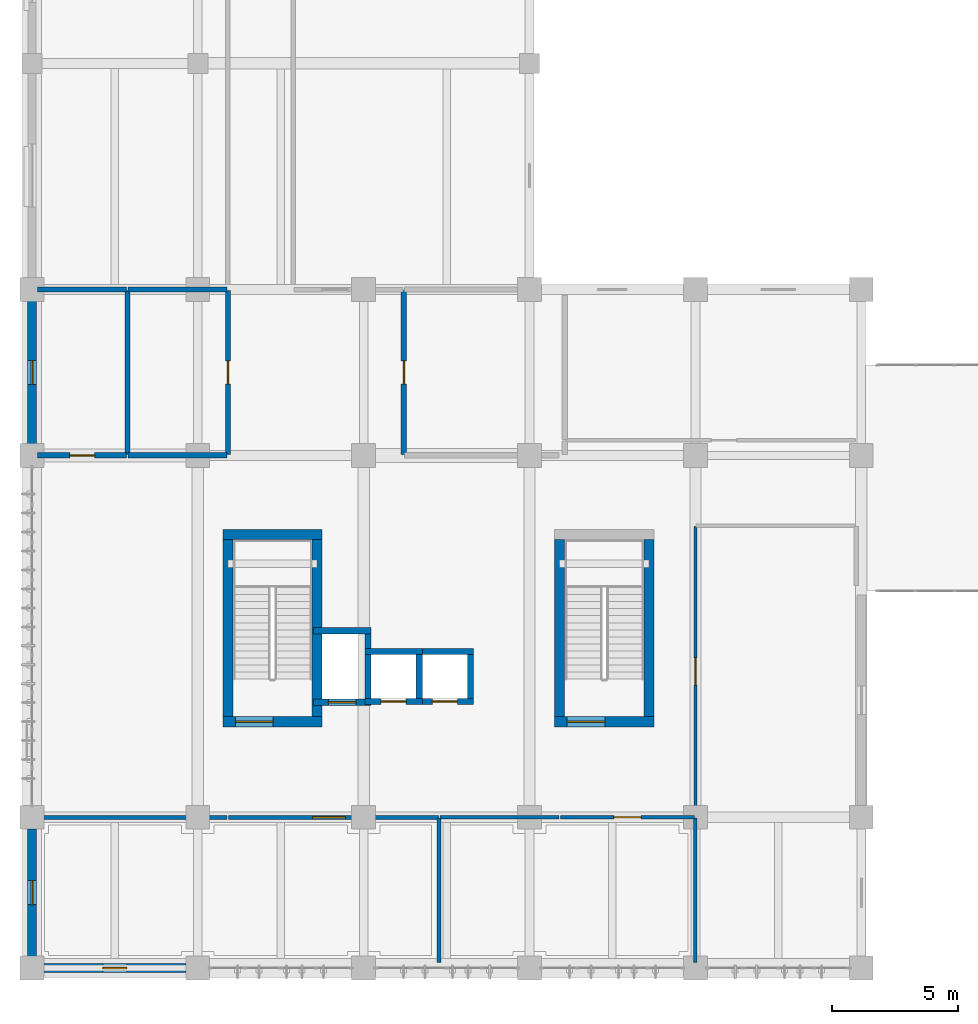
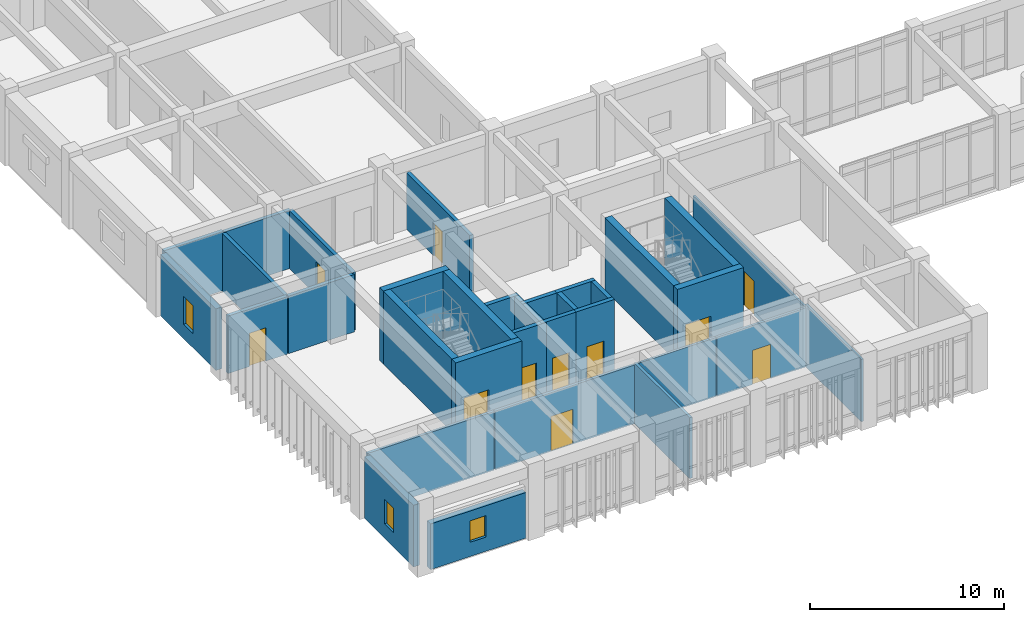
# One storey, part 47 of 65: 33 walls, 11 doors, 3 windows, 14 openings.
"""IFC4 building model written with IfcOpenShell, lengths in metres."""

from ifc_helpers import new_model, si_unit, direction, frame, frame_2d, origin, place, context, subcontext, project, spatial, rectangle, extrude, material, layer, layer_set, type_object, element, fill, save


model = new_model("IFC4")

# Units and contexts
model_context = context("Model", 3, precision=1e-05, world=origin(), true_north=direction((0.0, 1.0)))
body_context = subcontext(model_context, "Body", "Model", "MODEL_VIEW")
ifc_project = project(units=[si_unit("LENGTHUNIT", "METRE"), si_unit("AREAUNIT", "SQUARE_METRE"), si_unit("VOLUMEUNIT", "CUBIC_METRE"), si_unit("PLANEANGLEUNIT", "RADIAN"), si_unit("MASSUNIT", "GRAM", prefix="KILO")], contexts=[model_context])

# Site, building, storey
site_placement = place(None, origin())
site = spatial("IfcSite", under=ifc_project, at=site_placement, CompositionType="ELEMENT")
building_placement = place(site_placement, origin())
building = spatial("IfcBuilding", under=site, at=building_placement, Name="Miralva Faculty of Natural Sciences", CompositionType="ELEMENT")
storey_placement = place(building_placement, frame((0.0, 0.0, 10.199951171875)))
storey = spatial("IfcBuildingStorey", under=building, at=storey_placement, Name="L02", CompositionType="ELEMENT", Elevation=10.199951171875)

# Wall, opening, door
ifc_material_1 = material(Name="Concrete C50/60", Category="concrete")
ifc_layer_1 = layer(ifc_material_1, 0.39990234375, Name="WL-CW01")
ifc_layer_set_1 = layer_set([ifc_layer_1], Name="Concrete C50/60")
wall_type_1 = type_object("IfcWallType", Name="WL-CW01", PredefinedType="SHEAR", material=ifc_layer_set_1)
wall_1_placement = place(storey_placement, frame((10.60009765625, 12.800048828125, 0.0), z_axis=(0.0, 0.0, 1.0), x_axis=(1.0, 0.0, 0.0)))
wall_1 = element("IfcWall", 1, at=wall_1_placement, inside=storey, type_object=wall_type_1, Name="Core C1 shear wall south L02", PredefinedType="SHEAR", context=body_context, shape_type="SweptSolid", body=[
    extrude(rectangle(XDim=3.949951171875, YDim=0.39990234375, at=frame_2d((1.97509765625, 0.0))), origin(), (0.0, 0.0, 1.0), 4.580078125),
])
opening_1_placement = place(wall_1_placement, frame((0.5, 0.0, 0.0)))
opening_1 = element("IfcOpeningElement", 2, at=opening_1_placement, cuts=wall_1, Name="Opening D-11", PredefinedType="OPENING", context=body_context, shape_type="SweptSolid", body=[
    extrude(rectangle(XDim=1.5, YDim=2.199951171875, at=frame_2d((0.75, 1.10009765625))), frame((0.0, 0.2099609375, 0.0), z_axis=(0.0, -1.0, 0.0), x_axis=(1.0, 0.0, 0.0)), (0.0, 0.0, 1.0), 0.419921875),
])
ifc_material_2 = material(Name="Galvanised steel", Category="steel")
door_type_1 = type_object("IfcDoorType", Name="DR-DI11", OperationType="DOUBLE_DOOR_SINGLE_SWING", PredefinedType="DOOR", material=ifc_material_2)
door_1_placement = place(opening_1_placement, frame((1.5, 0.0, 0.0), z_axis=(0.0, 0.0, 1.0), x_axis=(-1.0, 0.0, 0.0)))
door_1 = element("IfcDoor", 3, at=door_1_placement, inside=storey, type_object=door_type_1, Name="Protected exit stair door Core C1 L02", OperationType="DOUBLE_DOOR_SINGLE_SWING", OverallHeight=2.199951171875, OverallWidth=1.5, PredefinedType="DOOR", context=body_context, shape_type="SweptSolid", body=[
    extrude(rectangle(XDim=1.5, YDim=2.199951171875, at=frame_2d((0.75, 1.10009765625))), frame((0.0, 0.02490234375, 0.0), z_axis=(0.0, -1.0, 0.0), x_axis=(1.0, 0.0, 0.0)), (0.0, 0.0, 1.0), 0.050048828125),
])
fill(opening_1, door_1)

# Walls
wall_2_placement = place(storey_placement, frame((10.60009765625, 20.25, 0.0), z_axis=(0.0, 0.0, 1.0), x_axis=(1.0, 0.0, 0.0)))
element("IfcWall", 4, at=wall_2_placement, inside=storey, type_object=wall_type_1, Name="Core C1 shear wall north L02", PredefinedType="SHEAR", context=body_context, shape_type="SweptSolid", body=[
    extrude(rectangle(XDim=3.949951171875, YDim=0.39990234375, at=frame_2d((1.97509765625, 0.0))), origin(), (0.0, 0.0, 1.0), 4.580078125),
])
for number, where, z_axis, x_axis, name in (
    (5, (10.800048828125, 13.0, 0.0), (0.0, 0.0, 1.0), (0.0, 1.0, 0.0), "Core C1 shear wall west L02"),
    (6, (14.35009765625, 13.0, 0.0), (0.0, 0.0, 1.0), (0.0, 1.0, 0.0), "Core C1 shear wall east L02"),
):
    element("IfcWall", number, at=place(storey_placement, frame(where, z_axis=z_axis, x_axis=x_axis)), inside=storey, type_object=wall_type_1, Name=name, PredefinedType="SHEAR", context=body_context, shape_type="SweptSolid", body=[
        extrude(rectangle(XDim=7.050048828125, YDim=0.39990234375, at=frame_2d((3.52490234375, 0.0))), origin(), (0.0, 0.0, 1.0), 4.580078125),
    ])

# Wall, opening, door
wall_3_placement = place(storey_placement, frame((23.800048828125, 12.800048828125, 0.0), z_axis=(0.0, 0.0, 1.0), x_axis=(1.0, 0.0, 0.0)))
wall_3 = element("IfcWall", 7, at=wall_3_placement, inside=storey, type_object=wall_type_1, Name="Core C1B shear wall south L02", PredefinedType="SHEAR", context=body_context, shape_type="SweptSolid", body=[
    extrude(rectangle(XDim=3.949951171875, YDim=0.39990234375, at=frame_2d((1.97509765625, 0.0))), origin(), (0.0, 0.0, 1.0), 4.580078125),
])
opening_2_placement = place(wall_3_placement, frame((0.5, 0.0, 0.0)))
opening_2 = element("IfcOpeningElement", 8, at=opening_2_placement, cuts=wall_3, Name="Opening D-11", PredefinedType="OPENING", context=body_context, shape_type="SweptSolid", body=[
    extrude(rectangle(XDim=1.5, YDim=2.199951171875, at=frame_2d((0.75, 1.10009765625))), frame((0.0, 0.2099609375, 0.0), z_axis=(0.0, -1.0, 0.0), x_axis=(1.0, 0.0, 0.0)), (0.0, 0.0, 1.0), 0.419921875),
])
door_2_placement = place(opening_2_placement, frame((1.5, 0.0, 0.0), z_axis=(0.0, 0.0, 1.0), x_axis=(-1.0, 0.0, 0.0)))
door_2 = element("IfcDoor", 9, at=door_2_placement, inside=storey, type_object=door_type_1, Name="Protected exit stair door Core C1B L02", OperationType="DOUBLE_DOOR_SINGLE_SWING", OverallHeight=2.199951171875, OverallWidth=1.5, PredefinedType="DOOR", context=body_context, shape_type="SweptSolid", body=[
    extrude(rectangle(XDim=1.5, YDim=2.199951171875, at=frame_2d((0.75, 1.10009765625))), frame((0.0, 0.02490234375, 0.0), z_axis=(0.0, -1.0, 0.0), x_axis=(1.0, 0.0, 0.0)), (0.0, 0.0, 1.0), 0.050048828125),
])
fill(opening_2, door_2)

# Walls
for number, where, z_axis, x_axis, name in (
    (10, (24.0, 13.0, 0.0), (0.0, 0.0, 1.0), (0.0, 1.0, 0.0), "Core C1B shear wall west L02"),
    (11, (27.550048828125, 13.0, 0.0), (0.0, 0.0, 1.0), (0.0, 1.0, 0.0), "Core C1B shear wall east L02"),
):
    element("IfcWall", number, at=place(storey_placement, frame(where, z_axis=z_axis, x_axis=x_axis)), inside=storey, type_object=wall_type_1, Name=name, PredefinedType="SHEAR", context=body_context, shape_type="SweptSolid", body=[
        extrude(rectangle(XDim=7.050048828125, YDim=0.39990234375, at=frame_2d((3.52490234375, 0.0))), origin(), (0.0, 0.0, 1.0), 4.580078125),
    ])

# Wall, opening, door
ifc_material_3 = material(Name="Concrete C40/50", Category="concrete")
ifc_layer_2 = layer(ifc_material_3, 0.25, Name="WL-CW04")
ifc_layer_set_2 = layer_set([ifc_layer_2], Name="Concrete C40/50")
wall_type_2 = type_object("IfcWallType", Name="WL-CW04", PredefinedType="SHEAR", material=ifc_layer_set_2)
wall_4_placement = place(storey_placement, frame((14.205078125, 13.580078125, 0.0), z_axis=(0.0, 0.0, 1.0), x_axis=(1.0, 0.0, 0.0)))
wall_4 = element("IfcWall", 12, at=wall_4_placement, inside=storey, type_object=wall_type_2, Name="Lift L-01 hoistway front wall L02", PredefinedType="SHEAR", context=body_context, shape_type="SweptSolid", body=[
    extrude(rectangle(XDim=2.2900390625, YDim=0.25, at=frame_2d((1.14501953125, 0.0))), origin(), (0.0, 0.0, 1.0), 4.56005859375),
])
opening_3_placement = place(wall_4_placement, frame((0.594970703125, 0.0, 0.0)))
opening_3 = element("IfcOpeningElement", 13, at=opening_3_placement, cuts=wall_4, Name="Opening LD-01", PredefinedType="OPENING", context=body_context, shape_type="SweptSolid", body=[
    extrude(rectangle(XDim=1.10009765625, YDim=2.199951171875, at=frame_2d((0.550048828125, 1.10009765625))), frame((0.0, 0.135009765625, 0.0), z_axis=(0.0, -1.0, 0.0), x_axis=(1.0, 0.0, 0.0)), (0.0, 0.0, 1.0), 0.27001953125),
])
door_type_2 = type_object("IfcDoorType", Name="DR-LD01", OperationType="SLIDING_TO_LEFT", PredefinedType="DOOR", material=ifc_material_2)
door_3_placement = place(opening_3_placement, frame((1.10009765625, 0.0, 0.0), z_axis=(0.0, 0.0, 1.0), x_axis=(-1.0, 0.0, 0.0)))
door_3 = element("IfcDoor", 14, at=door_3_placement, inside=storey, type_object=door_type_2, Name="Lift L-01 sliding landing door L02", OperationType="SLIDING_TO_LEFT", OverallHeight=2.199951171875, OverallWidth=1.10009765625, PredefinedType="DOOR", context=body_context, shape_type="SweptSolid", body=[
    extrude(rectangle(XDim=1.10009765625, YDim=2.199951171875, at=frame_2d((0.550048828125, 1.10009765625))), frame((0.0, 0.02490234375, 0.0), z_axis=(0.0, -1.0, 0.0), x_axis=(1.0, 0.0, 0.0)), (0.0, 0.0, 1.0), 0.050048828125),
])
fill(opening_3, door_3)

# Walls
wall_5_placement = place(storey_placement, frame((14.205078125, 16.419921875, 0.0), z_axis=(0.0, 0.0, 1.0), x_axis=(1.0, 0.0, 0.0)))
element("IfcWall", 15, at=wall_5_placement, inside=storey, type_object=wall_type_2, Name="Lift L-01 hoistway rear wall L02", PredefinedType="SHEAR", context=body_context, shape_type="SweptSolid", body=[
    extrude(rectangle(XDim=2.2900390625, YDim=0.25, at=frame_2d((1.14501953125, 0.0))), origin(), (0.0, 0.0, 1.0), 4.56005859375),
])
wall_6_placement = place(storey_placement, frame((16.3701171875, 13.705078125, 0.0), z_axis=(0.0, 0.0, 1.0), x_axis=(0.0, 1.0, 0.0)))
element("IfcWall", 16, at=wall_6_placement, inside=storey, type_object=wall_type_2, Name="Lift L-01 hoistway E wall L02", PredefinedType="SHEAR", context=body_context, shape_type="SweptSolid", body=[
    extrude(rectangle(XDim=2.58984375, YDim=0.25, at=frame_2d((1.294921875, 0.0))), origin(), (0.0, 0.0, 1.0), 4.56005859375),
])

# Wall, opening, door
wall_7_placement = place(storey_placement, frame((16.2451171875, 13.60498046875, 0.0), z_axis=(0.0, 0.0, 1.0), x_axis=(1.0, 0.0, 0.0)))
wall_7 = element("IfcWall", 17, at=wall_7_placement, inside=storey, type_object=wall_type_2, Name="Lift L-02 hoistway front wall L02", PredefinedType="SHEAR", context=body_context, shape_type="SweptSolid", body=[
    extrude(rectangle(XDim=2.289794921875, YDim=0.25, at=frame_2d((1.14501953125, 0.0))), origin(), (0.0, 0.0, 1.0), 4.56005859375),
])
opening_4_placement = place(wall_7_placement, frame((0.64501953125, 0.0, 0.0)))
opening_4 = element("IfcOpeningElement", 18, at=opening_4_placement, cuts=wall_7, Name="Opening LD-02", PredefinedType="OPENING", context=body_context, shape_type="SweptSolid", body=[
    extrude(rectangle(XDim=1.0, YDim=2.14990234375, at=frame_2d((0.5, 1.074951171875))), frame((0.0, 0.135009765625, 0.0), z_axis=(0.0, -1.0, 0.0), x_axis=(1.0, 0.0, 0.0)), (0.0, 0.0, 1.0), 0.27001953125),
])
door_type_3 = type_object("IfcDoorType", Name="DR-LD02", OperationType="SLIDING_TO_LEFT", PredefinedType="DOOR", material=ifc_material_2)
door_4_placement = place(opening_4_placement, frame((1.0, 0.0, 0.0), z_axis=(0.0, 0.0, 1.0), x_axis=(-1.0, 0.0, 0.0)))
door_4 = element("IfcDoor", 19, at=door_4_placement, inside=storey, type_object=door_type_3, Name="Lift L-02 sliding landing door L02", OperationType="SLIDING_TO_LEFT", OverallHeight=2.14990234375, OverallWidth=1.0, PredefinedType="DOOR", context=body_context, shape_type="SweptSolid", body=[
    extrude(rectangle(XDim=1.0, YDim=2.14990234375, at=frame_2d((0.5, 1.074951171875))), frame((0.0, 0.02490234375, 0.0), z_axis=(0.0, -1.0, 0.0), x_axis=(1.0, 0.0, 0.0)), (0.0, 0.0, 1.0), 0.050048828125),
])
fill(opening_4, door_4)

# Walls
wall_8_placement = place(storey_placement, frame((16.2451171875, 15.594970703125, 0.0), z_axis=(0.0, 0.0, 1.0), x_axis=(1.0, 0.0, 0.0)))
element("IfcWall", 20, at=wall_8_placement, inside=storey, type_object=wall_type_2, Name="Lift L-02 hoistway rear wall L02", PredefinedType="SHEAR", context=body_context, shape_type="SweptSolid", body=[
    extrude(rectangle(XDim=2.289794921875, YDim=0.25, at=frame_2d((1.14501953125, 0.0))), origin(), (0.0, 0.0, 1.0), 4.56005859375),
])
wall_9_placement = place(storey_placement, frame((18.409912109375, 13.72998046875, 0.0), z_axis=(0.0, 0.0, 1.0), x_axis=(0.0, 1.0, 0.0)))
element("IfcWall", 21, at=wall_9_placement, inside=storey, type_object=wall_type_2, Name="Lift L-02 hoistway E wall L02", PredefinedType="SHEAR", context=body_context, shape_type="SweptSolid", body=[
    extrude(rectangle(XDim=1.739990234375, YDim=0.25, at=frame_2d((0.8701171875, 0.0))), origin(), (0.0, 0.0, 1.0), 4.56005859375),
])

# Wall, opening, door
wall_10_placement = place(storey_placement, frame((18.284912109375, 13.60498046875, 0.0), z_axis=(0.0, 0.0, 1.0), x_axis=(1.0, 0.0, 0.0)))
wall_10 = element("IfcWall", 22, at=wall_10_placement, inside=storey, type_object=wall_type_2, Name="Lift L-03 hoistway front wall L02", PredefinedType="SHEAR", context=body_context, shape_type="SweptSolid", body=[
    extrude(rectangle(XDim=2.2900390625, YDim=0.25, at=frame_2d((1.14501953125, 0.0))), origin(), (0.0, 0.0, 1.0), 4.56005859375),
])
opening_5_placement = place(wall_10_placement, frame((0.64501953125, 0.0, 0.0)))
opening_5 = element("IfcOpeningElement", 23, at=opening_5_placement, cuts=wall_10, Name="Opening LD-02", PredefinedType="OPENING", context=body_context, shape_type="SweptSolid", body=[
    extrude(rectangle(XDim=1.0, YDim=2.14990234375, at=frame_2d((0.5, 1.074951171875))), frame((0.0, 0.135009765625, 0.0), z_axis=(0.0, -1.0, 0.0), x_axis=(1.0, 0.0, 0.0)), (0.0, 0.0, 1.0), 0.27001953125),
])
door_5_placement = place(opening_5_placement, frame((1.0, 0.0, 0.0), z_axis=(0.0, 0.0, 1.0), x_axis=(-1.0, 0.0, 0.0)))
door_5 = element("IfcDoor", 24, at=door_5_placement, inside=storey, type_object=door_type_3, Name="Lift L-03 sliding landing door L02", OperationType="SLIDING_TO_LEFT", OverallHeight=2.14990234375, OverallWidth=1.0, PredefinedType="DOOR", context=body_context, shape_type="SweptSolid", body=[
    extrude(rectangle(XDim=1.0, YDim=2.14990234375, at=frame_2d((0.5, 1.074951171875))), frame((0.0, 0.02490234375, 0.0), z_axis=(0.0, -1.0, 0.0), x_axis=(1.0, 0.0, 0.0)), (0.0, 0.0, 1.0), 0.050048828125),
])
fill(opening_5, door_5)

# Walls
wall_11_placement = place(storey_placement, frame((18.284912109375, 15.594970703125, 0.0), z_axis=(0.0, 0.0, 1.0), x_axis=(1.0, 0.0, 0.0)))
element("IfcWall", 25, at=wall_11_placement, inside=storey, type_object=wall_type_2, Name="Lift L-03 hoistway rear wall L02", PredefinedType="SHEAR", context=body_context, shape_type="SweptSolid", body=[
    extrude(rectangle(XDim=2.2900390625, YDim=0.25, at=frame_2d((1.14501953125, 0.0))), origin(), (0.0, 0.0, 1.0), 4.56005859375),
])
wall_12_placement = place(storey_placement, frame((20.449951171875, 13.72998046875, 0.0), z_axis=(0.0, 0.0, 1.0), x_axis=(0.0, 1.0, 0.0)))
element("IfcWall", 26, at=wall_12_placement, inside=storey, type_object=wall_type_2, Name="Lift L-03 hoistway E wall L02", PredefinedType="SHEAR", context=body_context, shape_type="SweptSolid", body=[
    extrude(rectangle(XDim=1.739990234375, YDim=0.25, at=frame_2d((0.8701171875, 0.0))), origin(), (0.0, 0.0, 1.0), 4.56005859375),
])
ifc_material_4 = material(Name="Gypsum plasterboard")
ifc_layer_3 = layer(ifc_material_4, 0.159912109375, Name="WL-PT03")
ifc_layer_set_3 = layer_set([ifc_layer_3], Name="Gypsum plasterboard")
wall_type_3 = type_object("IfcWallType", Name="WL-PT03", PredefinedType="PARTITIONING", material=ifc_layer_set_3)
wall_13_placement = place(storey_placement, frame((19.199951171875, 3.22998046875, 0.0), z_axis=(0.0, 0.0, 1.0), x_axis=(0.0, 1.0, 0.0)))
element("IfcWall", 27, at=wall_13_placement, inside=storey, type_object=wall_type_3, Name="Interior partition PT-03 L02-241", PredefinedType="PARTITIONING", context=body_context, shape_type="SweptSolid", body=[
    extrude(rectangle(XDim=5.739990234375, YDim=0.159912109375, at=frame_2d((2.8701171875, 0.0))), origin(), (0.0, 0.0, 1.0), 3.824951171875),
])
wall_14_placement = place(storey_placement, frame((3.22998046875, 9.0, 0.0), z_axis=(0.0, 0.0, 1.0), x_axis=(1.0, 0.0, 0.0)))
element("IfcWall", 28, at=wall_14_placement, inside=storey, type_object=wall_type_3, Name="Interior partition PT-03 L02-242", PredefinedType="PARTITIONING", context=body_context, shape_type="SweptSolid", body=[
    extrude(rectangle(XDim=7.5400390625, YDim=0.159912109375, at=frame_2d((3.77001953125, 0.0))), origin(), (0.0, 0.0, 1.0), 3.695068359375),
])

# Wall, opening, door
wall_15_placement = place(storey_placement, frame((10.830078125, 9.0, 0.0), z_axis=(0.0, 0.0, 1.0), x_axis=(1.0, 0.0, 0.0)))
wall_15 = element("IfcWall", 29, at=wall_15_placement, inside=storey, type_object=wall_type_3, Name="Interior partition PT-03 L02-243", PredefinedType="PARTITIONING", context=body_context, shape_type="SweptSolid", body=[
    extrude(rectangle(XDim=8.33984375, YDim=0.159912109375, at=frame_2d((4.169921875, 0.0))), origin(), (0.0, 0.0, 1.0), 3.695068359375),
])
opening_6_placement = place(wall_15_placement, frame((3.340087890625, 0.0, 0.0)))
opening_6 = element("IfcOpeningElement", 30, at=opening_6_placement, cuts=wall_15, Name="Opening D-36", PredefinedType="OPENING", context=body_context, shape_type="SweptSolid", body=[
    extrude(rectangle(XDim=1.300048828125, YDim=2.199951171875, at=frame_2d((0.64990234375, 1.10009765625))), frame((0.0, 0.08984375, 0.0), z_axis=(0.0, -1.0, 0.0), x_axis=(1.0, 0.0, 0.0)), (0.0, 0.0, 1.0), 0.179931640625),
])
ifc_material_5 = material(Name="Anodised aluminium", Category="aluminium")
door_type_4 = type_object("IfcDoorType", Name="DR-DI36", OperationType="NOTDEFINED", PredefinedType="DOOR", material=ifc_material_5)
door_6_placement = place(opening_6_placement, origin())
door_6 = element("IfcDoor", 31, at=door_6_placement, inside=storey, type_object=door_type_4, Name="Interior door D-36 L02-92", OperationType="SINGLE_SWING_LEFT", OverallHeight=2.199951171875, OverallWidth=1.300048828125, PredefinedType="DOOR", context=body_context, shape_type="SweptSolid", body=[
    extrude(rectangle(XDim=1.300048828125, YDim=2.199951171875, at=frame_2d((0.64990234375, 1.10009765625))), frame((0.0, 0.02490234375, 0.0), z_axis=(0.0, -1.0, 0.0), x_axis=(1.0, 0.0, 0.0)), (0.0, 0.0, 1.0), 0.050048828125),
])
fill(opening_6, door_6)

# Wall
ifc_layer_4 = layer(ifc_material_4, 0.139892578125, Name="WL-PT04")
ifc_layer_set_4 = layer_set([ifc_layer_4], Name="Gypsum plasterboard")
wall_type_4 = type_object("IfcWallType", Name="WL-PT04", PredefinedType="PARTITIONING", material=ifc_layer_set_4)
wall_16_placement = place(storey_placement, frame((29.39990234375, 3.22998046875, 0.0), z_axis=(0.0, 0.0, 1.0), x_axis=(0.0, 1.0, 0.0)))
element("IfcWall", 32, at=wall_16_placement, inside=storey, type_object=wall_type_4, Name="Interior partition PT-04 L02-244", PredefinedType="PARTITIONING", context=body_context, shape_type="SweptSolid", body=[
    extrude(rectangle(XDim=5.739990234375, YDim=0.139892578125, at=frame_2d((2.8701171875, 0.0))), origin(), (0.0, 0.0, 1.0), 3.925048828125),
])

# Wall, opening, door
wall_17_placement = place(storey_placement, frame((24.030029296875, 9.0, 0.0), z_axis=(0.0, 0.0, 1.0), x_axis=(1.0, 0.0, 0.0)))
wall_17 = element("IfcWall", 33, at=wall_17_placement, inside=storey, type_object=wall_type_4, Name="Interior partition PT-04 L02-245", PredefinedType="PARTITIONING", context=body_context, shape_type="SweptSolid", body=[
    extrude(rectangle(XDim=5.340087890625, YDim=0.139892578125, at=frame_2d((2.669921875, 0.0))), origin(), (0.0, 0.0, 1.0), 3.715087890625),
])
opening_7_placement = place(wall_17_placement, frame((2.1298828125, 0.0, 0.0)))
opening_7 = element("IfcOpeningElement", 34, at=opening_7_placement, cuts=wall_17, Name="Opening D-32", PredefinedType="OPENING", context=body_context, shape_type="SweptSolid", body=[
    extrude(rectangle(XDim=1.080078125, YDim=2.14990234375, at=frame_2d((0.5400390625, 1.074951171875))), frame((0.0, 0.079833984375, 0.0), z_axis=(0.0, -1.0, 0.0), x_axis=(1.0, 0.0, 0.0)), (0.0, 0.0, 1.0), 0.159912109375),
])
door_type_5 = type_object("IfcDoorType", Name="DR-DI32", OperationType="NOTDEFINED", PredefinedType="DOOR", material=ifc_material_5)
door_7_placement = place(opening_7_placement, origin())
door_7 = element("IfcDoor", 35, at=door_7_placement, inside=storey, type_object=door_type_5, Name="Interior door D-32 L02-93", OperationType="SINGLE_SWING_RIGHT", OverallHeight=2.14990234375, OverallWidth=1.080078125, PredefinedType="DOOR", context=body_context, shape_type="SweptSolid", body=[
    extrude(rectangle(XDim=1.080078125, YDim=2.14990234375, at=frame_2d((0.5400390625, 1.074951171875))), frame((0.0, 0.02490234375, 0.0), z_axis=(0.0, -1.0, 0.0), x_axis=(1.0, 0.0, 0.0)), (0.0, 0.0, 1.0), 0.050048828125),
])
fill(opening_7, door_7)

# Wall
wall_18_placement = place(storey_placement, frame((19.22998046875, 9.0, 0.0), z_axis=(0.0, 0.0, 1.0), x_axis=(1.0, 0.0, 0.0)))
element("IfcWall", 36, at=wall_18_placement, inside=storey, type_object=wall_type_4, Name="Interior partition PT-04 L02-246", PredefinedType="PARTITIONING", context=body_context, shape_type="SweptSolid", body=[
    extrude(rectangle(XDim=4.739990234375, YDim=0.139892578125, at=frame_2d((2.3701171875, 0.0))), origin(), (0.0, 0.0, 1.0), 3.715087890625),
])

# Wall, opening, door
ifc_layer_5 = layer(ifc_material_4, 0.125, Name="WL-PT05")
ifc_layer_set_5 = layer_set([ifc_layer_5], Name="Gypsum plasterboard")
wall_type_5 = type_object("IfcWallType", Name="WL-PT05", PredefinedType="PARTITIONING", material=ifc_layer_set_5)
wall_19_placement = place(storey_placement, frame((29.39990234375, 9.030029296875, 0.0), z_axis=(0.0, 0.0, 1.0), x_axis=(0.0, 1.0, 0.0)))
wall_19 = element("IfcWall", 37, at=wall_19_placement, inside=storey, type_object=wall_type_5, Name="Interior partition PT-05 L02-247", PredefinedType="PARTITIONING", context=body_context, shape_type="SweptSolid", body=[
    extrude(rectangle(XDim=11.5400390625, YDim=0.125, at=frame_2d((5.77001953125, 0.0))), origin(), (0.0, 0.0, 1.0), 3.72509765625),
])
opening_8_placement = place(wall_19_placement, frame((5.22998046875, 0.0, 0.0)))
opening_8 = element("IfcOpeningElement", 38, at=opening_8_placement, cuts=wall_19, Name="Opening D-32", PredefinedType="OPENING", context=body_context, shape_type="SweptSolid", body=[
    extrude(rectangle(XDim=1.080078125, YDim=2.14990234375, at=frame_2d((0.5400390625, 1.074951171875))), frame((0.0, 0.072509765625, 0.0), z_axis=(0.0, -1.0, 0.0), x_axis=(1.0, 0.0, 0.0)), (0.0, 0.0, 1.0), 0.14501953125),
])
door_8_placement = place(opening_8_placement, origin())
door_8 = element("IfcDoor", 39, at=door_8_placement, inside=storey, type_object=door_type_5, Name="Interior door D-32 L02-94", OperationType="SINGLE_SWING_LEFT", OverallHeight=2.14990234375, OverallWidth=1.080078125, PredefinedType="DOOR", context=body_context, shape_type="SweptSolid", body=[
    extrude(rectangle(XDim=1.080078125, YDim=2.14990234375, at=frame_2d((0.5400390625, 1.074951171875))), frame((0.0, 0.02490234375, 0.0), z_axis=(0.0, -1.0, 0.0), x_axis=(1.0, 0.0, 0.0)), (0.0, 0.0, 1.0), 0.050048828125),
])
fill(opening_8, door_8)

# Wall
ifc_layer_6 = layer(ifc_material_4, 0.2099609375, Name="WL-PT06")
ifc_layer_set_6 = layer_set([ifc_layer_6], Name="Gypsum plasterboard")
wall_type_6 = type_object("IfcWallType", Name="WL-PT06", PredefinedType="PLUMBINGWALL", material=ifc_layer_set_6)
wall_20_placement = place(storey_placement, frame((6.800048828125, 23.429931640625, 0.0), z_axis=(0.0, 0.0, 1.0), x_axis=(0.0, 1.0, 0.0)))
element("IfcWall", 40, at=wall_20_placement, inside=storey, type_object=wall_type_6, Name="Interior partition PT-06 L02-250", PredefinedType="PLUMBINGWALL", context=body_context, shape_type="SweptSolid", body=[
    extrude(rectangle(XDim=6.5400390625, YDim=0.2099609375, at=frame_2d((3.27001953125, 0.0))), origin(), (0.0, 0.0, 1.0), 3.614990234375),
])

# Wall, opening, door
wall_21_placement = place(storey_placement, frame((3.22998046875, 23.39990234375, 0.0), z_axis=(0.0, 0.0, 1.0), x_axis=(1.0, 0.0, 0.0)))
wall_21 = element("IfcWall", 41, at=wall_21_placement, inside=storey, type_object=wall_type_6, Name="Interior partition PT-06 L02-251", PredefinedType="PLUMBINGWALL", context=body_context, shape_type="SweptSolid", body=[
    extrude(rectangle(XDim=3.5400390625, YDim=0.2099609375, at=frame_2d((1.77001953125, 0.0))), origin(), (0.0, 0.0, 1.0), 3.614990234375),
])
opening_9_placement = place(wall_21_placement, frame((1.280029296875, 0.0, 0.0)))
opening_9 = element("IfcOpeningElement", 42, at=opening_9_placement, cuts=wall_21, Name="Opening D-26", PredefinedType="OPENING", context=body_context, shape_type="SweptSolid", body=[
    extrude(rectangle(XDim=0.97998046875, YDim=2.10009765625, at=frame_2d((0.489990234375, 1.050048828125))), frame((0.0, 0.114990234375, 0.0), z_axis=(0.0, -1.0, 0.0), x_axis=(1.0, 0.0, 0.0)), (0.0, 0.0, 1.0), 0.22998046875),
])
door_type_6 = type_object("IfcDoorType", Name="DR-DI26", OperationType="NOTDEFINED", PredefinedType="DOOR", material=ifc_material_5)
door_9_placement = place(opening_9_placement, origin())
door_9 = element("IfcDoor", 43, at=door_9_placement, inside=storey, type_object=door_type_6, Name="Interior door D-26 L02-95", OperationType="SINGLE_SWING_RIGHT", OverallHeight=2.10009765625, OverallWidth=0.97998046875, PredefinedType="DOOR", context=body_context, shape_type="SweptSolid", body=[
    extrude(rectangle(XDim=0.97998046875, YDim=2.10009765625, at=frame_2d((0.489990234375, 1.050048828125))), frame((0.0, 0.02490234375, 0.0), z_axis=(0.0, -1.0, 0.0), x_axis=(1.0, 0.0, 0.0)), (0.0, 0.0, 1.0), 0.050048828125),
])
fill(opening_9, door_9)

# Walls
wall_22_placement = place(storey_placement, frame((3.22998046875, 30.0, 0.0), z_axis=(0.0, 0.0, 1.0), x_axis=(1.0, 0.0, 0.0)))
element("IfcWall", 44, at=wall_22_placement, inside=storey, type_object=wall_type_6, Name="Interior partition PT-06 L02-252", PredefinedType="PLUMBINGWALL", context=body_context, shape_type="SweptSolid", body=[
    extrude(rectangle(XDim=3.5400390625, YDim=0.2099609375, at=frame_2d((1.77001953125, 0.0))), origin(), (0.0, 0.0, 1.0), 3.72509765625),
])
wall_23_placement = place(storey_placement, frame((6.830078125, 23.39990234375, 0.0), z_axis=(0.0, 0.0, 1.0), x_axis=(1.0, 0.0, 0.0)))
element("IfcWall", 45, at=wall_23_placement, inside=storey, type_object=wall_type_6, Name="Interior partition PT-06 L02-253", PredefinedType="PLUMBINGWALL", context=body_context, shape_type="SweptSolid", body=[
    extrude(rectangle(XDim=3.93994140625, YDim=0.2099609375, at=frame_2d((1.969970703125, 0.0))), origin(), (0.0, 0.0, 1.0), 3.614990234375),
])

# Wall, opening, door
wall_24_placement = place(storey_placement, frame((10.800048828125, 23.429931640625, 0.0), z_axis=(0.0, 0.0, 1.0), x_axis=(0.0, 1.0, 0.0)))
wall_24 = element("IfcWall", 46, at=wall_24_placement, inside=storey, type_object=wall_type_6, Name="Interior partition PT-06 L02-254", PredefinedType="PLUMBINGWALL", context=body_context, shape_type="SweptSolid", body=[
    extrude(rectangle(XDim=6.5400390625, YDim=0.2099609375, at=frame_2d((3.27001953125, 0.0))), origin(), (0.0, 0.0, 1.0), 3.655029296875),
])
opening_10_placement = place(wall_24_placement, frame((2.81005859375, 0.0, 0.0)))
opening_10 = element("IfcOpeningElement", 47, at=opening_10_placement, cuts=wall_24, Name="Opening D-27", PredefinedType="OPENING", context=body_context, shape_type="SweptSolid", body=[
    extrude(rectangle(XDim=0.919921875, YDim=2.10009765625, at=frame_2d((0.4599609375, 1.050048828125))), frame((0.0, 0.114990234375, 0.0), z_axis=(0.0, -1.0, 0.0), x_axis=(1.0, 0.0, 0.0)), (0.0, 0.0, 1.0), 0.22998046875),
])
door_type_7 = type_object("IfcDoorType", Name="DR-DI27", OperationType="NOTDEFINED", PredefinedType="DOOR", material=ifc_material_5)
door_10_placement = place(opening_10_placement, origin())
door_10 = element("IfcDoor", 48, at=door_10_placement, inside=storey, type_object=door_type_7, Name="Interior door D-27 L02-96", OperationType="SINGLE_SWING_LEFT", OverallHeight=2.10009765625, OverallWidth=0.919921875, PredefinedType="DOOR", context=body_context, shape_type="SweptSolid", body=[
    extrude(rectangle(XDim=0.919921875, YDim=2.10009765625, at=frame_2d((0.4599609375, 1.050048828125))), frame((0.0, 0.02490234375, 0.0), z_axis=(0.0, -1.0, 0.0), x_axis=(1.0, 0.0, 0.0)), (0.0, 0.0, 1.0), 0.050048828125),
])
fill(opening_10, door_10)

# Wall
wall_25_placement = place(storey_placement, frame((6.830078125, 30.0, 0.0), z_axis=(0.0, 0.0, 1.0), x_axis=(1.0, 0.0, 0.0)))
element("IfcWall", 49, at=wall_25_placement, inside=storey, type_object=wall_type_6, Name="Interior partition PT-06 L02-255", PredefinedType="PLUMBINGWALL", context=body_context, shape_type="SweptSolid", body=[
    extrude(rectangle(XDim=3.93994140625, YDim=0.2099609375, at=frame_2d((1.969970703125, 0.0))), origin(), (0.0, 0.0, 1.0), 3.655029296875),
])

# Wall, opening, door
wall_26_placement = place(storey_placement, frame((17.800048828125, 23.429931640625, 0.0), z_axis=(0.0, 0.0, 1.0), x_axis=(0.0, 1.0, 0.0)))
wall_26 = element("IfcWall", 50, at=wall_26_placement, inside=storey, type_object=wall_type_6, Name="Interior partition PT-06 L02-258", PredefinedType="PLUMBINGWALL", context=body_context, shape_type="SweptSolid", body=[
    extrude(rectangle(XDim=6.5400390625, YDim=0.2099609375, at=frame_2d((3.27001953125, 0.0))), origin(), (0.0, 0.0, 1.0), 3.554931640625),
])
opening_11_placement = place(wall_26_placement, frame((2.81005859375, 0.0, 0.0)))
opening_11 = element("IfcOpeningElement", 51, at=opening_11_placement, cuts=wall_26, Name="Opening D-27", PredefinedType="OPENING", context=body_context, shape_type="SweptSolid", body=[
    extrude(rectangle(XDim=0.919921875, YDim=2.10009765625, at=frame_2d((0.4599609375, 1.050048828125))), frame((0.0, 0.114990234375, 0.0), z_axis=(0.0, -1.0, 0.0), x_axis=(1.0, 0.0, 0.0)), (0.0, 0.0, 1.0), 0.22998046875),
])
door_11_placement = place(opening_11_placement, origin())
door_11 = element("IfcDoor", 52, at=door_11_placement, inside=storey, type_object=door_type_7, Name="Interior door D-27 L02-97", OperationType="SINGLE_SWING_RIGHT", OverallHeight=2.10009765625, OverallWidth=0.919921875, PredefinedType="DOOR", context=body_context, shape_type="SweptSolid", body=[
    extrude(rectangle(XDim=0.919921875, YDim=2.10009765625, at=frame_2d((0.4599609375, 1.050048828125))), frame((0.0, 0.02490234375, 0.0), z_axis=(0.0, -1.0, 0.0), x_axis=(1.0, 0.0, 0.0)), (0.0, 0.0, 1.0), 0.050048828125),
])
fill(opening_11, door_11)

# Wall, opening, window
ifc_material_6 = material(Name="Volcanic tuff architectural stone", Category="masonry")
ifc_layer_7 = layer(ifc_material_6, 0.360107421875, Name="WL-WT01")
ifc_layer_set_7 = layer_set([ifc_layer_7], Name="Volcanic tuff architectural stone")
wall_type_7 = type_object("IfcWallType", Name="WL-WT01", PredefinedType="SOLIDWALL", material=ifc_layer_set_7)
wall_27_placement = place(storey_placement, frame((3.465087890625, 3.0, 0.0), z_axis=(0.0, 0.0, 1.0), x_axis=(1.0, 0.0, 0.0)))
wall_27 = element("IfcWall", 53, at=wall_27_placement, inside=storey, type_object=wall_type_7, Name="Exterior wall L02-77", PredefinedType="SOLIDWALL", context=body_context, shape_type="SweptSolid", body=[
    extrude(rectangle(XDim=5.669921875, YDim=0.360107421875, at=frame_2d((2.8349609375, 0.0))), origin(), (0.0, 0.0, 1.0), 2.8701171875),
])
opening_12_placement = place(wall_27_placement, frame((2.360107421875, 0.0, 0.89990234375)))
opening_12 = element("IfcOpeningElement", 54, at=opening_12_placement, cuts=wall_27, Name="Opening W-46", PredefinedType="OPENING", context=body_context, shape_type="SweptSolid", body=[
    extrude(rectangle(XDim=0.949951171875, YDim=1.35009765625, at=frame_2d((0.47509765625, 0.675048828125))), frame((0.0, 0.18994140625, 0.0), z_axis=(0.0, -1.0, 0.0), x_axis=(1.0, 0.0, 0.0)), (0.0, 0.0, 1.0), 0.380126953125),
])
ifc_material_7 = material(Name="Laminated solar-control glass", Category="glass")
window_type_1 = type_object("IfcWindowType", Name="WN-W46", PartitioningType="DOUBLE_PANEL_VERTICAL", PredefinedType="WINDOW", material=ifc_material_7)
window_1_placement = place(opening_12_placement, frame((0.949951171875, 0.0, 0.0), z_axis=(0.0, 0.0, 1.0), x_axis=(-1.0, 0.0, 0.0)))
window_1 = element("IfcWindow", 55, at=window_1_placement, inside=storey, type_object=window_type_1, Name="Window W-46 L02-23", OverallHeight=1.35009765625, OverallWidth=0.949951171875, PartitioningType="DOUBLE_PANEL_VERTICAL", PredefinedType="WINDOW", context=body_context, shape_type="SweptSolid", body=[
    extrude(rectangle(XDim=0.949951171875, YDim=1.35009765625, at=frame_2d((0.47509765625, 0.675048828125))), frame((0.0, 0.030029296875, 0.0), z_axis=(0.0, -1.0, 0.0), x_axis=(1.0, 0.0, 0.0)), (0.0, 0.0, 1.0), 0.06005859375),
])
fill(opening_12, window_1)

wall_28_placement = place(storey_placement, frame((3.0, 3.465087890625, 0.0), z_axis=(0.0, 0.0, 1.0), x_axis=(0.0, 1.0, 0.0)))
wall_28 = element("IfcWall", 56, at=wall_28_placement, inside=storey, type_object=wall_type_7, Name="Exterior wall L02-78", PredefinedType="SOLIDWALL", context=body_context, shape_type="SweptSolid", body=[
    extrude(rectangle(XDim=5.06982421875, YDim=0.360107421875, at=frame_2d((2.534912109375, 0.0))), origin(), (0.0, 0.0, 1.0), 3.875),
])
opening_13_placement = place(wall_28_placement, frame((2.06005859375, 0.0, 0.89990234375)))
opening_13 = element("IfcOpeningElement", 57, at=opening_13_placement, cuts=wall_28, Name="Opening W-47", PredefinedType="OPENING", context=body_context, shape_type="SweptSolid", body=[
    extrude(rectangle(XDim=0.949951171875, YDim=1.550048828125, at=frame_2d((0.47509765625, 0.77490234375))), frame((0.0, 0.18994140625, 0.0), z_axis=(0.0, -1.0, 0.0), x_axis=(1.0, 0.0, 0.0)), (0.0, 0.0, 1.0), 0.380126953125),
])
window_type_2 = type_object("IfcWindowType", Name="WN-W47", PartitioningType="DOUBLE_PANEL_VERTICAL", PredefinedType="WINDOW", material=ifc_material_7)
window_2_placement = place(opening_13_placement, origin())
window_2 = element("IfcWindow", 58, at=window_2_placement, inside=storey, type_object=window_type_2, Name="Window W-47 L02-24", OverallHeight=1.550048828125, OverallWidth=0.949951171875, PartitioningType="DOUBLE_PANEL_VERTICAL", PredefinedType="WINDOW", context=body_context, shape_type="SweptSolid", body=[
    extrude(rectangle(XDim=0.949951171875, YDim=1.550048828125, at=frame_2d((0.47509765625, 0.77490234375))), frame((0.0, 0.030029296875, 0.0), z_axis=(0.0, -1.0, 0.0), x_axis=(1.0, 0.0, 0.0)), (0.0, 0.0, 1.0), 0.06005859375),
])
fill(opening_13, window_2)

wall_29_placement = place(storey_placement, frame((3.0, 23.85498046875, 0.0), z_axis=(0.0, 0.0, 1.0), x_axis=(0.0, 1.0, 0.0)))
wall_29 = element("IfcWall", 59, at=wall_29_placement, inside=storey, type_object=wall_type_7, Name="Exterior wall L02-79", PredefinedType="SOLIDWALL", context=body_context, shape_type="SweptSolid", body=[
    extrude(rectangle(XDim=5.68994140625, YDim=0.360107421875, at=frame_2d((2.844970703125, 0.0))), origin(), (0.0, 0.0, 1.0), 3.875),
])
opening_14_placement = place(wall_29_placement, frame((2.3701171875, 0.0, 0.89990234375)))
opening_14 = element("IfcOpeningElement", 60, at=opening_14_placement, cuts=wall_29, Name="Opening W-48", PredefinedType="OPENING", context=body_context, shape_type="SweptSolid", body=[
    extrude(rectangle(XDim=0.949951171875, YDim=1.75, at=frame_2d((0.47509765625, 0.875))), frame((0.0, 0.18994140625, 0.0), z_axis=(0.0, -1.0, 0.0), x_axis=(1.0, 0.0, 0.0)), (0.0, 0.0, 1.0), 0.380126953125),
])
window_type_3 = type_object("IfcWindowType", Name="WN-W48", PartitioningType="DOUBLE_PANEL_VERTICAL", PredefinedType="WINDOW", material=ifc_material_7)
window_3_placement = place(opening_14_placement, origin())
window_3 = element("IfcWindow", 61, at=window_3_placement, inside=storey, type_object=window_type_3, Name="Window W-48 L02-25", OverallHeight=1.75, OverallWidth=0.949951171875, PartitioningType="DOUBLE_PANEL_VERTICAL", PredefinedType="WINDOW", context=body_context, shape_type="SweptSolid", body=[
    extrude(rectangle(XDim=0.949951171875, YDim=1.75, at=frame_2d((0.47509765625, 0.875))), frame((0.0, 0.030029296875, 0.0), z_axis=(0.0, -1.0, 0.0), x_axis=(1.0, 0.0, 0.0)), (0.0, 0.0, 1.0), 0.06005859375),
])
fill(opening_14, window_3)

save(model, "model.ifc")
